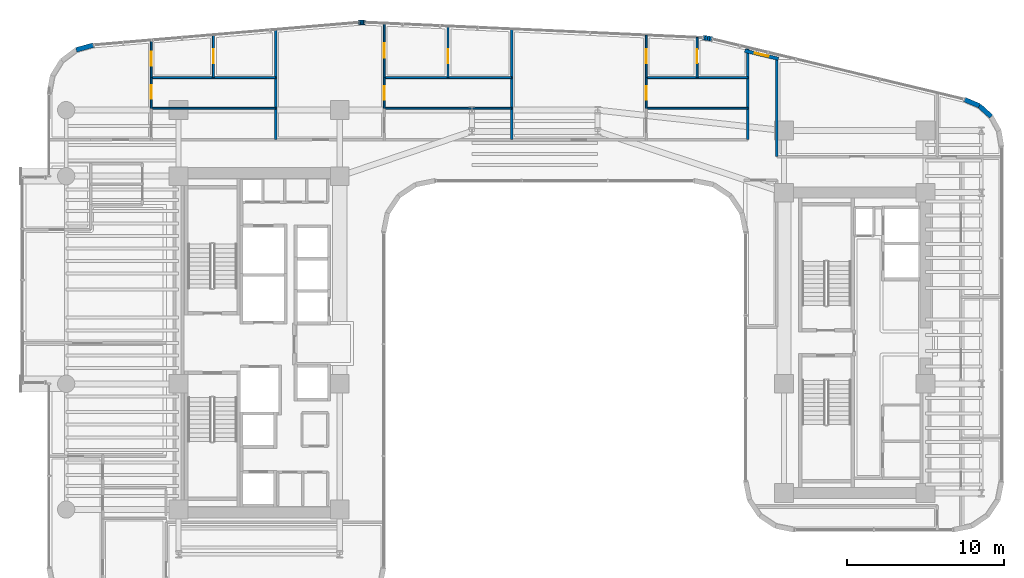
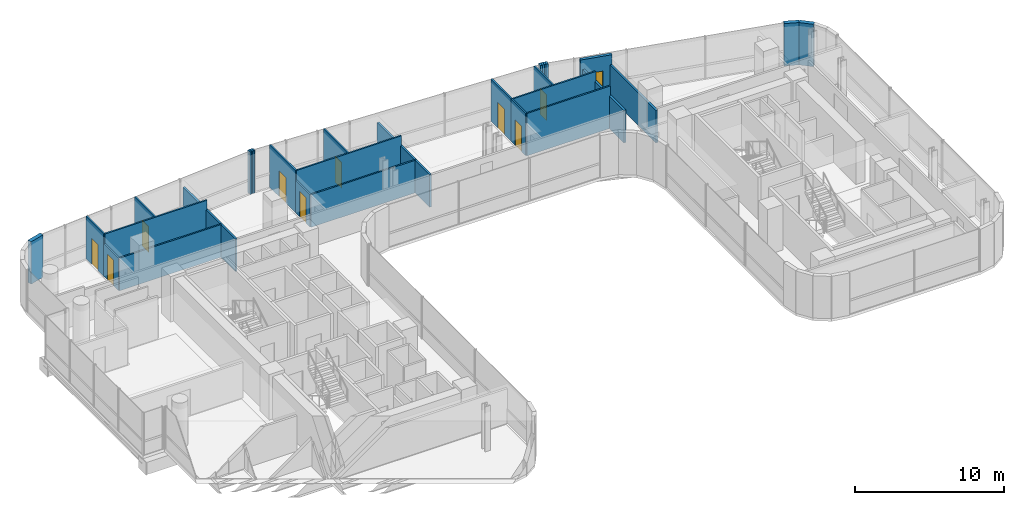
# One storey, part 30 of 36: 31 walls, 9 doors, 1 window, 10 openings.
"""IFC4 building model written with IfcOpenShell, lengths in metres."""

import ifcopenshell
import ifcopenshell.guid

model = None  # the IFC model being written
_history = None  # IfcOwnerHistory: only IFC2X3 demands one
_inside = {}  # id of a spatial element -> (the spatial element, [elements in it])
_under = {}  # id of a project, library or spatial element -> (it, [spatial elements below it])
_declared = {}  # id of a project -> (the project, [libraries it declares])
_typed = {}  # id of a type object -> (the type object, [elements of that type])
_made_of = {}  # id of a material, layer set ... -> (it, [elements and type objects made of it])


def new_model(schema):
    """Start an empty IFC model of exactly this schema.

    Asked for "IFC4X3", IfcOpenShell would pick the latest addendum, in which some entities
    have other attributes; the version numbers below select the first issue.
    IFC2X3 requires an IfcOwnerHistory on every rooted entity: one is made here for all.
    """
    global model, _history
    if schema == "IFC4X3":
        model = ifcopenshell.file(schema_version=(4, 3, 0, 0))
    else:
        model = ifcopenshell.file(schema=schema)
    _inside.clear()
    _under.clear()
    _declared.clear()
    _typed.clear()
    _made_of.clear()
    _history = None
    if model.schema == "IFC2X3":
        org = make("IfcOrganization", Name="unknown")
        user = make(
            "IfcPersonAndOrganization",
            ThePerson=make("IfcPerson", FamilyName="unknown"),
            TheOrganization=org,
        )
        app = make(
            "IfcApplication",
            ApplicationDeveloper=org,
            Version="unknown",
            ApplicationFullName="unknown",
            ApplicationIdentifier="unknown",
        )
        _history = make(
            "IfcOwnerHistory",
            OwningUser=user,
            OwningApplication=app,
            ChangeAction="ADDED",
            CreationDate=0,
        )
    return model


def make(cls, **values):
    """One entity of the class cls with the attributes given. An attribute that is None is left unset."""
    return model.create_entity(
        cls, **{name: value for name, value in values.items() if value is not None}
    )


def rooted(cls, **values):
    """An entity with a GlobalId (a new one), such as an element, a storey or a relation."""
    return make(cls, GlobalId=ifcopenshell.guid.new(), OwnerHistory=_history, **values)


def si_unit(unit_type, name, prefix=None):
    """IfcSIUnit, for example si_unit("LENGTHUNIT", "METRE", prefix="MILLI")."""
    return make("IfcSIUnit", UnitType=unit_type, Prefix=prefix, Name=name)


def assignment(units):
    """IfcUnitAssignment: the units of a project."""
    return None if units is None else make("IfcUnitAssignment", Units=units)


def point(xyz):
    """IfcCartesianPoint."""
    return None if xyz is None else make("IfcCartesianPoint", Coordinates=xyz)


def direction(xyz):
    """IfcDirection."""
    return None if xyz is None else make("IfcDirection", DirectionRatios=xyz)


def frame(location, z_axis=None, x_axis=None):
    """IfcAxis2Placement3D, a coordinate frame: its origin and axes. An axis left out is left unset."""
    return make(
        "IfcAxis2Placement3D",
        Location=point(location),
        Axis=direction(z_axis),
        RefDirection=direction(x_axis),
    )


def frame_2d(location, x_axis=None):
    """IfcAxis2Placement2D, a coordinate frame in the plane: its origin and x axis."""
    return make(
        "IfcAxis2Placement2D", Location=point(location), RefDirection=direction(x_axis)
    )


def origin():
    """The frame at (0, 0, 0) with its axes left unset."""
    return frame((0.0, 0.0, 0.0))


def place(relative_to, where):
    """IfcLocalPlacement: puts the frame where relative to a parent placement (None: the world)."""
    return make(
        "IfcLocalPlacement", PlacementRelTo=relative_to, RelativePlacement=where
    )


def context(
    kind, dimensions, precision=None, world=None, true_north=None, identifier=None
):
    """IfcGeometricRepresentationContext, for example the 3D "Model" context."""
    return make(
        "IfcGeometricRepresentationContext",
        ContextIdentifier=identifier,
        ContextType=kind,
        CoordinateSpaceDimension=dimensions,
        Precision=precision,
        WorldCoordinateSystem=world,
        TrueNorth=true_north,
    )


def subcontext(parent, identifier, kind, view, scale=None):
    """IfcGeometricRepresentationSubContext, for example "Body" below "Model"."""
    return make(
        "IfcGeometricRepresentationSubContext",
        ContextIdentifier=identifier,
        ContextType=kind,
        ParentContext=parent,
        TargetScale=scale,
        TargetView=view,
    )


def project(units=None, contexts=None):
    """IfcProject with its units and contexts."""
    return rooted(
        "IfcProject",
        Name="project",
        RepresentationContexts=contexts,
        UnitsInContext=assignment(units),
    )


def spatial(cls, under=None, at=None, **own):
    """A site, building, storey or space (cls), placed at a placement, below another one or the project."""
    s = rooted(cls, ObjectPlacement=at, **own)
    if under is not None:
        _under.setdefault(under.id(), (under, []))[1].append(s)
    return s


def profile(cls, at=None, kind="AREA", **sizes):
    """A parametric profile (cls). Its sizes go by their IFC names, for example OverallWidth=200.0."""
    return make(cls, ProfileType=kind, Position=at, **sizes)


def rectangle(**sizes):
    """IfcRectangleProfileDef."""
    return profile("IfcRectangleProfileDef", **sizes)


def extrude(swept, where, along, depth):
    """IfcExtrudedAreaSolid: the profile swept, set in the frame where, extruded along a direction by depth."""
    return make(
        "IfcExtrudedAreaSolid",
        SweptArea=swept,
        Position=where,
        ExtrudedDirection=direction(along),
        Depth=depth,
    )


def shape(context_of_items, identifier, shape_type, items):
    """IfcShapeRepresentation: the items that make up one representation, for example the "Body"."""
    return make(
        "IfcShapeRepresentation",
        ContextOfItems=context_of_items,
        RepresentationIdentifier=identifier,
        RepresentationType=shape_type,
        Items=items,
    )


def material(Name=None, Category=None):
    """IfcMaterial."""
    return make("IfcMaterial", Name=Name, Category=Category)


def layer(
    of_material, thickness, ventilated=None, Name=None, Category=None, Priority=None
):
    """IfcMaterialLayer: one layer of a wall or slab, of a material (None: an air gap)."""
    return make(
        "IfcMaterialLayer",
        Material=of_material,
        LayerThickness=thickness,
        IsVentilated=ventilated,
        Name=Name,
        Category=Category,
        Priority=Priority,
    )


def layer_set(layers, Name=None):
    """IfcMaterialLayerSet."""
    return make("IfcMaterialLayerSet", MaterialLayers=layers, LayerSetName=Name)


def made_of(thing, what):
    """Note that an element or type object is made of a material, layer set ...; save() writes the relation."""
    if what is not None:
        _made_of.setdefault(what.id(), (what, []))[1].append(thing)
    return thing


def type_object(cls, material=None, **own):
    """A type object (cls), such as IfcWallType, which elements share."""
    return made_of(rooted(cls, **own), material)


def element(
    cls,
    number,
    at=None,
    inside=None,
    cuts=None,
    type_object=None,
    material=None,
    context=None,
    identifier="Body",
    shape_type=None,
    held_by="IfcProductDefinitionShape",
    body=None,
    shapes=None,
    **own,
):
    """One element of the class cls, such as IfcWall. Its Tag is "e" and its number.

    at: its placement. inside: the storey or other place that contains it. cuts: it is an
    opening in that element (IfcRelVoidsElement). A single representation is given by context,
    identifier, shape_type and body (its items); several are given by shapes. held_by: the class
    of the entity that holds the representations. save() writes the other relations.
    """
    e = rooted(cls, Tag="e%d" % number, ObjectPlacement=at, **own)
    if body is not None:
        shapes = [shape(context, identifier, shape_type, body)]
    if shapes is not None:
        e.Representation = make(held_by, Representations=shapes)
    if inside is not None:
        _inside.setdefault(inside.id(), (inside, []))[1].append(e)
    if cuts is not None:
        rooted(
            "IfcRelVoidsElement", RelatingBuildingElement=cuts, RelatedOpeningElement=e
        )
    if type_object is not None:
        _typed.setdefault(type_object.id(), (type_object, []))[1].append(e)
    return made_of(e, material)


def fill(opening, filler):
    """IfcRelFillsElement: the door or window that sits in an opening."""
    return rooted(
        "IfcRelFillsElement",
        RelatingOpeningElement=opening,
        RelatedBuildingElement=filler,
    )


def aggregate(whole, parts):
    """IfcRelAggregates: a whole, such as a stair, and the parts it consists of."""
    return rooted("IfcRelAggregates", RelatingObject=whole, RelatedObjects=parts)


def save(model, path):
    """Write the relations noted so far, then the file.

    IfcRelAggregates (storeys below a building ...), IfcRelContainedInSpatialStructure (elements
    in a storey), IfcRelDefinesByType, IfcRelAssociatesMaterial and IfcRelDeclares: one each for
    every whole, place, type object, material and project.
    """
    for whole, parts in _under.values():
        aggregate(whole, parts)
    for where, things in _inside.values():
        rooted(
            "IfcRelContainedInSpatialStructure",
            RelatedElements=things,
            RelatingStructure=where,
        )
    for kind, things in _typed.values():
        rooted("IfcRelDefinesByType", RelatedObjects=things, RelatingType=kind)
    for what, things in _made_of.values():
        rooted("IfcRelAssociatesMaterial", RelatedObjects=things, RelatingMaterial=what)
    for by, libraries in _declared.values():
        rooted("IfcRelDeclares", RelatingContext=by, RelatedDefinitions=libraries)
    model.write(path)


model = new_model("IFC4")

# Units and contexts
model_context = context("Model", 3, precision=1e-05, world=origin(), true_north=direction((0.0, 1.0)))
body_context = subcontext(model_context, "Body", "Model", "MODEL_VIEW")
ifc_project = project(units=[si_unit("LENGTHUNIT", "METRE"), si_unit("AREAUNIT", "SQUARE_METRE"), si_unit("VOLUMEUNIT", "CUBIC_METRE"), si_unit("PLANEANGLEUNIT", "RADIAN"), si_unit("MASSUNIT", "GRAM", prefix="KILO")], contexts=[model_context])

# Site, building, storey
site_placement = place(None, origin())
site = spatial("IfcSite", under=ifc_project, at=site_placement, CompositionType="ELEMENT")
building_placement = place(site_placement, origin())
building = spatial("IfcBuilding", under=site, at=building_placement, Name="Valdorenza Pilgrim Sanctuary Tower", CompositionType="ELEMENT")
storey_placement = place(building_placement, frame((0.0, 0.0, 109.39990234375)))
storey = spatial("IfcBuildingStorey", under=building, at=storey_placement, Name="L27", CompositionType="ELEMENT", Elevation=109.39990234375)

# Walls
ifc_material_1 = material(Name="Acoustic twin-stud gypsum partition", Category="gypsum")
ifc_layer_1 = layer(ifc_material_1, 0.159912109375, Name="Acoustic twin-stud gypsum partition")
ifc_layer_set_1 = layer_set([ifc_layer_1], Name="Acoustic twin-stud gypsum partition")
wall_type_1 = type_object("IfcWallType", Name="WAL-COR-160", PredefinedType="PARTITIONING", material=ifc_layer_set_1)
wall_1_placement = place(storey_placement, frame((13.550048828125, 12.919921875, 0.0), z_axis=(0.0, 0.0, 1.0), x_axis=(0.0, 1.0, 0.0)))
element("IfcWall", 1, at=wall_1_placement, inside=storey, type_object=wall_type_1, Name="L27 North Band East Closure", PredefinedType="PARTITIONING", context=body_context, shape_type="SweptSolid", body=[
    extrude(rectangle(XDim=5.856689453125, YDim=0.159912109375, at=frame_2d((2.92822265625, 0.0))), origin(), (0.0, 0.0, 1.0), 2.666015625),
])
wall_2_placement = place(storey_placement, frame((15.39990234375, 11.85009765625, 0.0), z_axis=(0.0, 0.0, 1.0), x_axis=(0.0, 1.0, 0.0)))
element("IfcWall", 2, at=wall_2_placement, inside=storey, type_object=wall_type_1, Name="L27 Wing B North West Wall", PredefinedType="PARTITIONING", context=body_context, shape_type="SweptSolid", body=[
    extrude(rectangle(XDim=6.14990234375, YDim=0.159912109375, at=frame_2d((3.074951171875, 0.0))), origin(), (0.0, 0.0, 1.0), 2.666015625),
])
ifc_material_2 = material(Name="Honed travertine limestone", Category="masonry")
ifc_layer_2 = layer(ifc_material_2, 0.300048828125, Name="Honed travertine limestone")
ifc_layer_set_2 = layer_set([ifc_layer_2], Name="Honed travertine limestone")
wall_type_2 = type_object("IfcWallType", Name="WAL-EXT-300", PredefinedType="SOLIDWALL", material=ifc_layer_set_2)
wall_3_placement = place(storey_placement, frame((-29.16064453125, 18.632568359375, 0.0), z_axis=(0.0, 0.0, 1.0), x_axis=(0.963624193367, 0.267260947313, 0.0)))
element("IfcWall", 3, at=wall_3_placement, inside=storey, type_object=wall_type_2, Name="L27 Rounded Wind-Corner Stone Pier 5", PredefinedType="SOLIDWALL", context=body_context, shape_type="SweptSolid", body=[
    extrude(rectangle(XDim=1.15087890625, YDim=0.300048828125, at=frame_2d((0.575439453125, 0.0))), origin(), (0.0, 0.0, 1.0), 3.460205078125),
])
wall_4_placement = place(storey_placement, frame((-11.199462890625, 20.37255859375, 0.0), z_axis=(0.0, 0.0, 1.0), x_axis=(0.997567332166, 0.069709524416, 0.0)))
element("IfcWall", 4, at=wall_4_placement, inside=storey, type_object=wall_type_2, Name="L27 Rounded Wind-Corner Stone Pier 7", PredefinedType="SOLIDWALL", context=body_context, shape_type="SweptSolid", body=[
    extrude(rectangle(XDim=0.1015625, YDim=0.300048828125, at=frame_2d((0.05078125, 0.0))), origin(), (0.0, 0.0, 1.0), 3.460205078125),
])
wall_5_placement = place(storey_placement, frame((-11.09814453125, 20.379638671875, 0.0), z_axis=(0.0, 0.0, 1.0), x_axis=(0.999334672785, 0.03647206835, 0.0)))
element("IfcWall", 5, at=wall_5_placement, inside=storey, type_object=wall_type_2, Name="L27 Rounded Wind-Corner Stone Pier 8", PredefinedType="SOLIDWALL", context=body_context, shape_type="SweptSolid", body=[
    extrude(rectangle(XDim=0.100341796875, YDim=0.300048828125, at=frame_2d((0.05029296875, 0.0))), origin(), (0.0, 0.0, 1.0), 3.460205078125),
])
wall_6_placement = place(storey_placement, frame((-10.997802734375, 20.38330078125, 0.0), z_axis=(0.0, 0.0, 1.0), x_axis=(0.999997054401, 0.002427177317, 0.0)))
element("IfcWall", 6, at=wall_6_placement, inside=storey, type_object=wall_type_2, Name="L27 Rounded Wind-Corner Stone Pier 9", PredefinedType="SOLIDWALL", context=body_context, shape_type="SweptSolid", body=[
    extrude(rectangle(XDim=0.1005859375, YDim=0.300048828125, at=frame_2d((0.05029296875, 0.0))), origin(), (0.0, 0.0, 1.0), 3.460205078125),
])
wall_7_placement = place(storey_placement, frame((-10.897216796875, 20.383544921875, 0.0), z_axis=(0.0, 0.0, 1.0), x_axis=(0.999584209171, -0.02883415988, 0.0)))
element("IfcWall", 7, at=wall_7_placement, inside=storey, type_object=wall_type_2, Name="L27 Rounded Wind-Corner Stone Pier 10", PredefinedType="SOLIDWALL", context=body_context, shape_type="SweptSolid", body=[
    extrude(rectangle(XDim=0.1015625, YDim=0.300048828125, at=frame_2d((0.05078125, 0.0))), origin(), (0.0, 0.0, 1.0), 3.460205078125),
])
wall_8_placement = place(storey_placement, frame((10.68994140625, 19.404052734375, 0.0), z_axis=(0.0, 0.0, 1.0), x_axis=(0.99758310784, -0.069483400546, 0.0)))
element("IfcWall", 8, at=wall_8_placement, inside=storey, type_object=wall_type_2, Name="L27 Rounded Wind-Corner Stone Pier 12", PredefinedType="SOLIDWALL", context=body_context, shape_type="SweptSolid", body=[
    extrude(rectangle(XDim=0.1474609375, YDim=0.300048828125, at=frame_2d((0.07373046875, 0.0))), origin(), (0.0, 0.0, 1.0), 3.460205078125),
])
for number, where, z_axis, x_axis, name in (
    (9, (10.837158203125, 19.393798828125, 0.0), (0.0, 0.0, 1.0), (0.993173334962, -0.116647874912, 0.0), "L27 Rounded Wind-Corner Stone Pier 13"),
    (10, (10.982666015625, 19.376708984375, 0.0), (0.0, 0.0, 1.0), (0.986573494681, -0.163317909592, 0.0), "L27 Rounded Wind-Corner Stone Pier 14"),
):
    element("IfcWall", number, at=place(storey_placement, frame(where, z_axis=z_axis, x_axis=x_axis)), inside=storey, type_object=wall_type_2, Name=name, PredefinedType="SOLIDWALL", context=body_context, shape_type="SweptSolid", body=[
        extrude(rectangle(XDim=0.146484375, YDim=0.300048828125, at=frame_2d((0.0732421875, 0.0))), origin(), (0.0, 0.0, 1.0), 3.460205078125),
    ])
wall_9_placement = place(storey_placement, frame((11.127197265625, 19.352783203125, 0.0), z_axis=(0.0, 0.0, 1.0), x_axis=(0.978019841688, -0.208511844421, 0.0)))
element("IfcWall", 11, at=wall_9_placement, inside=storey, type_object=wall_type_2, Name="L27 Rounded Wind-Corner Stone Pier 15", PredefinedType="SOLIDWALL", context=body_context, shape_type="SweptSolid", body=[
    extrude(rectangle(XDim=0.1474609375, YDim=0.300048828125, at=frame_2d((0.07373046875, 0.0))), origin(), (0.0, 0.0, 1.0), 3.460205078125),
])

# Wall, opening, window
wall_10_placement = place(storey_placement, frame((13.355224609375, 18.576416015625, 0.0), z_axis=(0.0, 0.0, 1.0), x_axis=(0.97252211384, -0.232810519721, 0.0)))
wall_10 = element("IfcWall", 12, at=wall_10_placement, inside=storey, type_object=wall_type_2, Name="L27 Operable Ventilation Sash Jamb Pier", PredefinedType="SOLIDWALL", context=body_context, shape_type="SweptSolid", body=[
    extrude(rectangle(XDim=2.2001953125, YDim=0.219970703125, at=frame_2d((1.10009765625, 0.0))), origin(), (0.0, 0.0, 1.0), 3.460205078125),
])
opening_1_placement = place(wall_10_placement, frame((0.64990234375, 0.0, 0.949951171875)))
opening_1 = element("IfcOpeningElement", 13, at=opening_1_placement, cuts=wall_10, Name="Opening WN-OP1", PredefinedType="OPENING", context=body_context, shape_type="SweptSolid", body=[
    extrude(rectangle(XDim=0.89990234375, YDim=1.300048828125, at=frame_2d((0.449951171875, 0.64990234375))), frame((0.0, 0.125, 0.0), z_axis=(0.0, -1.0, 0.0), x_axis=(1.0, 0.0, 0.0)), (0.0, 0.0, 1.0), 0.249755859375),
])
ifc_material_3 = material(Name="Ceramic-fritted low-E IGU glazing", Category="glass")
window_type = type_object("IfcWindowType", Name="WIN-OPN-900", PartitioningType="SINGLE_PANEL", PredefinedType="WINDOW", material=ifc_material_3)
window_placement = place(opening_1_placement, origin())
window = element("IfcWindow", 14, at=window_placement, inside=storey, type_object=window_type, Name="L27 Parallel-Pop-Out Operable Facade Panel", OverallHeight=1.300048828125, OverallWidth=0.89990234375, PartitioningType="SINGLE_PANEL", PredefinedType="WINDOW", context=body_context, shape_type="SweptSolid", body=[
    extrude(rectangle(XDim=0.89990234375, YDim=1.300048828125, at=frame_2d((0.449951171875, 0.64990234375))), frame((0.0, 0.030029296875, 0.0), z_axis=(0.0, -1.0, 0.0), x_axis=(1.0, 0.0, 0.0)), (0.0, 0.0, 1.0), 0.06005859375),
])
fill(opening_1, window)

# Walls
wall_11_placement = place(storey_placement, frame((27.310302734375, 15.48291015625, 0.0), z_axis=(0.0, 0.0, 1.0), x_axis=(0.920250328759, -0.391330208927, 0.0)))
element("IfcWall", 15, at=wall_11_placement, inside=storey, type_object=wall_type_2, Name="L27 Rounded Wind-Corner Stone Pier 17", PredefinedType="SOLIDWALL", context=body_context, shape_type="SweptSolid", body=[
    extrude(rectangle(XDim=1.0361328125, YDim=0.300048828125, at=frame_2d((0.51806640625, 0.0))), origin(), (0.0, 0.0, 1.0), 3.460205078125),
])
wall_12_placement = place(storey_placement, frame((28.263916015625, 15.077392578125, 0.0), z_axis=(0.0, 0.0, 1.0), x_axis=(0.741208839713, -0.671274501178, 0.0)))
element("IfcWall", 16, at=wall_12_placement, inside=storey, type_object=wall_type_2, Name="L27 Rounded Wind-Corner Stone Pier 18", PredefinedType="SOLIDWALL", context=body_context, shape_type="SweptSolid", body=[
    extrude(rectangle(XDim=1.0263671875, YDim=0.300048828125, at=frame_2d((0.51318359375, 0.0))), origin(), (0.0, 0.0, 1.0), 3.460205078125),
])
ifc_material_4 = material(Name="Moisture-resistant gypsum partition", Category="gypsum")
ifc_layer_3 = layer(ifc_material_4, 0.1201171875, Name="Moisture-resistant gypsum partition")
ifc_layer_set_3 = layer_set([ifc_layer_3], Name="Moisture-resistant gypsum partition")
wall_type_3 = type_object("IfcWallType", Name="WAL-INT-120", PredefinedType="PARTITIONING", material=ifc_layer_set_3)
wall_13_placement = place(storey_placement, frame((-24.38720703125, 14.919921875, 0.0), z_axis=(0.0, 0.0, 1.0), x_axis=(1.0, 0.0, 0.0)))
element("IfcWall", 17, at=wall_13_placement, inside=storey, type_object=wall_type_3, Name="L27 North Family Flat L27-N1 Bath-Kitchen Wall", PredefinedType="PARTITIONING", context=body_context, shape_type="SweptSolid", body=[
    extrude(rectangle(XDim=7.904296875, YDim=0.1201171875, at=frame_2d((3.9521484375, 0.0))), origin(), (0.0, 0.0, 1.0), 2.666015625),
])
wall_14_placement = place(storey_placement, frame((-24.38720703125, 16.8701171875, 0.0), z_axis=(0.0, 0.0, 1.0), x_axis=(1.0, 0.0, 0.0)))
element("IfcWall", 18, at=wall_14_placement, inside=storey, type_object=wall_type_3, Name="L27 North Family Flat L27-N1 Kitchen-Bedroom Wall", PredefinedType="PARTITIONING", context=body_context, shape_type="SweptSolid", body=[
    extrude(rectangle(XDim=7.904296875, YDim=0.1201171875, at=frame_2d((3.9521484375, 0.0))), origin(), (0.0, 0.0, 1.0), 3.460205078125),
])

# Wall, opening, door
wall_15_placement = place(storey_placement, frame((-24.38720703125, 14.919921875, 0.0), z_axis=(0.0, 0.0, 1.0), x_axis=(0.0, 1.0, 0.0)))
wall_15 = element("IfcWall", 19, at=wall_15_placement, inside=storey, type_object=wall_type_3, Name="L27 North Family Flat L27-N1 Bathroom Door Wall", PredefinedType="PARTITIONING", context=body_context, shape_type="SweptSolid", body=[
    extrude(rectangle(XDim=1.9501953125, YDim=0.1201171875, at=frame_2d((0.97509765625, 0.0))), origin(), (0.0, 0.0, 1.0), 2.666015625),
])
opening_2_placement = place(wall_15_placement, frame((0.6201171875, 0.0, 0.0)))
opening_2 = element("IfcOpeningElement", 20, at=opening_2_placement, cuts=wall_15, Name="Opening DR-WC1", PredefinedType="OPENING", context=body_context, shape_type="SweptSolid", body=[
    extrude(rectangle(XDim=0.85009765625, YDim=2.10009765625, at=frame_2d((0.425048828125, 1.050048828125))), frame((0.0, 0.074951171875, 0.0), z_axis=(0.0, -1.0, 0.0), x_axis=(1.0, 0.0, 0.0)), (0.0, 0.0, 1.0), 0.14990234375),
])
ifc_material_5 = material(Name="Moisture-resistant lacquered timber", Category="wood")
door_type_1 = type_object("IfcDoorType", Name="DR-BATH-850", OperationType="NOTDEFINED", PredefinedType="DOOR", material=ifc_material_5)
door_1_placement = place(opening_2_placement, origin())
door_1 = element("IfcDoor", 21, at=door_1_placement, inside=storey, type_object=door_type_1, Name="L27 North Family Flat L27-N1 Bathroom Door", OperationType="SINGLE_SWING_RIGHT", OverallHeight=2.10009765625, OverallWidth=0.85009765625, PredefinedType="DOOR", context=body_context, shape_type="SweptSolid", body=[
    extrude(rectangle(XDim=0.85009765625, YDim=2.10009765625, at=frame_2d((0.425048828125, 1.050048828125))), frame((0.0, 0.02490234375, 0.0), z_axis=(0.0, -1.0, 0.0), x_axis=(1.0, 0.0, 0.0)), (0.0, 0.0, 1.0), 0.050048828125),
])
fill(opening_2, door_1)

wall_16_placement = place(storey_placement, frame((-24.38720703125, 16.8701171875, 0.0), z_axis=(0.0, 0.0, 1.0), x_axis=(0.0, 1.0, 0.0)))
wall_16 = element("IfcWall", 22, at=wall_16_placement, inside=storey, type_object=wall_type_3, Name="L27 North Family Flat L27-N1 Bedroom Door Wall", PredefinedType="PARTITIONING", context=body_context, shape_type="SweptSolid", body=[
    extrude(rectangle(XDim=2.381591796875, YDim=0.1201171875, at=frame_2d((1.19091796875, 0.0))), origin(), (0.0, 0.0, 1.0), 3.460205078125),
])
opening_3_placement = place(wall_16_placement, frame((0.740966796875, 0.0, 0.0)))
opening_3 = element("IfcOpeningElement", 23, at=opening_3_placement, cuts=wall_16, Name="Opening DR-RM1", PredefinedType="OPENING", context=body_context, shape_type="SweptSolid", body=[
    extrude(rectangle(XDim=0.89990234375, YDim=2.10009765625, at=frame_2d((0.449951171875, 1.050048828125))), frame((0.0, 0.074951171875, 0.0), z_axis=(0.0, -1.0, 0.0), x_axis=(1.0, 0.0, 0.0)), (0.0, 0.0, 1.0), 0.14990234375),
])
ifc_material_6 = material(Name="Solid-core European oak timber", Category="wood")
door_type_2 = type_object("IfcDoorType", Name="DR-ROOM-900", OperationType="NOTDEFINED", PredefinedType="DOOR", material=ifc_material_6)
door_2_placement = place(opening_3_placement, origin())
door_2 = element("IfcDoor", 24, at=door_2_placement, inside=storey, type_object=door_type_2, Name="L27 North Family Flat L27-N1 Bedroom 1 Door", OperationType="SINGLE_SWING_RIGHT", OverallHeight=2.10009765625, OverallWidth=0.89990234375, PredefinedType="DOOR", context=body_context, shape_type="SweptSolid", body=[
    extrude(rectangle(XDim=0.89990234375, YDim=2.10009765625, at=frame_2d((0.449951171875, 1.050048828125))), frame((0.0, 0.02490234375, 0.0), z_axis=(0.0, -1.0, 0.0), x_axis=(1.0, 0.0, 0.0)), (0.0, 0.0, 1.0), 0.050048828125),
])
fill(opening_3, door_2)

wall_17_placement = place(storey_placement, frame((-20.43505859375, 16.8701171875, 0.0), z_axis=(0.0, 0.0, 1.0), x_axis=(0.0, 1.0, 0.0)))
wall_17 = element("IfcWall", 25, at=wall_17_placement, inside=storey, type_object=wall_type_3, Name="L27 North Family Flat L27-N1 Bedroom 2 Wall", PredefinedType="PARTITIONING", context=body_context, shape_type="SweptSolid", body=[
    extrude(rectangle(XDim=2.717529296875, YDim=0.1201171875, at=frame_2d((1.35888671875, 0.0))), origin(), (0.0, 0.0, 1.0), 3.460205078125),
])
opening_4_placement = place(wall_17_placement, frame((0.89990234375, 0.0, 0.0)))
opening_4 = element("IfcOpeningElement", 26, at=opening_4_placement, cuts=wall_17, Name="Opening DR-RM1", PredefinedType="OPENING", context=body_context, shape_type="SweptSolid", body=[
    extrude(rectangle(XDim=0.89990234375, YDim=2.10009765625, at=frame_2d((0.449951171875, 1.050048828125))), frame((0.0, 0.074951171875, 0.0), z_axis=(0.0, -1.0, 0.0), x_axis=(1.0, 0.0, 0.0)), (0.0, 0.0, 1.0), 0.14990234375),
])
door_3_placement = place(opening_4_placement, frame((0.89990234375, 0.0, 0.0), z_axis=(0.0, 0.0, 1.0), x_axis=(-1.0, 0.0, 0.0)))
door_3 = element("IfcDoor", 27, at=door_3_placement, inside=storey, type_object=door_type_2, Name="L27 North Family Flat L27-N1 Bedroom 2 Door", OperationType="SINGLE_SWING_LEFT", OverallHeight=2.10009765625, OverallWidth=0.89990234375, PredefinedType="DOOR", context=body_context, shape_type="SweptSolid", body=[
    extrude(rectangle(XDim=0.89990234375, YDim=2.10009765625, at=frame_2d((0.449951171875, 1.050048828125))), frame((0.0, 0.02490234375, 0.0), z_axis=(0.0, -1.0, 0.0), x_axis=(1.0, 0.0, 0.0)), (0.0, 0.0, 1.0), 0.050048828125),
])
fill(opening_4, door_3)

# Walls
wall_18_placement = place(storey_placement, frame((-9.57568359375, 14.919921875, 0.0), z_axis=(0.0, 0.0, 1.0), x_axis=(1.0, 0.0, 0.0)))
element("IfcWall", 28, at=wall_18_placement, inside=storey, type_object=wall_type_3, Name="L27 North Family Flat L27-N2 Bath-Kitchen Wall", PredefinedType="PARTITIONING", context=body_context, shape_type="SweptSolid", body=[
    extrude(rectangle(XDim=8.108642578125, YDim=0.1201171875, at=frame_2d((4.05419921875, 0.0))), origin(), (0.0, 0.0, 1.0), 2.666015625),
])
wall_19_placement = place(storey_placement, frame((-9.57568359375, 16.8701171875, 0.0), z_axis=(0.0, 0.0, 1.0), x_axis=(1.0, 0.0, 0.0)))
element("IfcWall", 29, at=wall_19_placement, inside=storey, type_object=wall_type_3, Name="L27 North Family Flat L27-N2 Kitchen-Bedroom Wall", PredefinedType="PARTITIONING", context=body_context, shape_type="SweptSolid", body=[
    extrude(rectangle(XDim=8.108642578125, YDim=0.1201171875, at=frame_2d((4.05419921875, 0.0))), origin(), (0.0, 0.0, 1.0), 3.460205078125),
])

# Wall, opening, door
wall_20_placement = place(storey_placement, frame((-9.57568359375, 14.919921875, 0.0), z_axis=(0.0, 0.0, 1.0), x_axis=(0.0, 1.0, 0.0)))
wall_20 = element("IfcWall", 30, at=wall_20_placement, inside=storey, type_object=wall_type_3, Name="L27 North Family Flat L27-N2 Bathroom Door Wall", PredefinedType="PARTITIONING", context=body_context, shape_type="SweptSolid", body=[
    extrude(rectangle(XDim=1.9501953125, YDim=0.1201171875, at=frame_2d((0.97509765625, 0.0))), origin(), (0.0, 0.0, 1.0), 2.666015625),
])
opening_5_placement = place(wall_20_placement, frame((0.550048828125, 0.0, 0.0)))
opening_5 = element("IfcOpeningElement", 31, at=opening_5_placement, cuts=wall_20, Name="Opening DR-WC1", PredefinedType="OPENING", context=body_context, shape_type="SweptSolid", body=[
    extrude(rectangle(XDim=0.85009765625, YDim=2.10009765625, at=frame_2d((0.425048828125, 1.050048828125))), frame((0.0, 0.074951171875, 0.0), z_axis=(0.0, -1.0, 0.0), x_axis=(1.0, 0.0, 0.0)), (0.0, 0.0, 1.0), 0.14990234375),
])
door_4_placement = place(opening_5_placement, origin())
door_4 = element("IfcDoor", 32, at=door_4_placement, inside=storey, type_object=door_type_1, Name="L27 North Family Flat L27-N2 Bathroom Door", OperationType="SINGLE_SWING_LEFT", OverallHeight=2.10009765625, OverallWidth=0.85009765625, PredefinedType="DOOR", context=body_context, shape_type="SweptSolid", body=[
    extrude(rectangle(XDim=0.85009765625, YDim=2.10009765625, at=frame_2d((0.425048828125, 1.050048828125))), frame((0.0, 0.02490234375, 0.0), z_axis=(0.0, -1.0, 0.0), x_axis=(1.0, 0.0, 0.0)), (0.0, 0.0, 1.0), 0.050048828125),
])
fill(opening_5, door_4)

wall_21_placement = place(storey_placement, frame((-9.57568359375, 16.8701171875, 0.0), z_axis=(0.0, 0.0, 1.0), x_axis=(0.0, 1.0, 0.0)))
wall_21 = element("IfcWall", 33, at=wall_21_placement, inside=storey, type_object=wall_type_3, Name="L27 North Family Flat L27-N2 Bedroom Door Wall", PredefinedType="PARTITIONING", context=body_context, shape_type="SweptSolid", body=[
    extrude(rectangle(XDim=3.455078125, YDim=0.1201171875, at=frame_2d((1.7275390625, 0.0))), origin(), (0.0, 0.0, 1.0), 3.460205078125),
])
opening_6_placement = place(wall_21_placement, frame((1.278076171875, 0.0, 0.0)))
opening_6 = element("IfcOpeningElement", 34, at=opening_6_placement, cuts=wall_21, Name="Opening DR-RM1", PredefinedType="OPENING", context=body_context, shape_type="SweptSolid", body=[
    extrude(rectangle(XDim=0.89990234375, YDim=2.10009765625, at=frame_2d((0.449951171875, 1.050048828125))), frame((0.0, 0.074951171875, 0.0), z_axis=(0.0, -1.0, 0.0), x_axis=(1.0, 0.0, 0.0)), (0.0, 0.0, 1.0), 0.14990234375),
])
door_5_placement = place(opening_6_placement, frame((0.89990234375, 0.0, 0.0), z_axis=(0.0, 0.0, 1.0), x_axis=(-1.0, 0.0, 0.0)))
door_5 = element("IfcDoor", 35, at=door_5_placement, inside=storey, type_object=door_type_2, Name="L27 North Family Flat L27-N2 Bedroom 1 Door", OperationType="SINGLE_SWING_LEFT", OverallHeight=2.10009765625, OverallWidth=0.89990234375, PredefinedType="DOOR", context=body_context, shape_type="SweptSolid", body=[
    extrude(rectangle(XDim=0.89990234375, YDim=2.10009765625, at=frame_2d((0.449951171875, 1.050048828125))), frame((0.0, 0.02490234375, 0.0), z_axis=(0.0, -1.0, 0.0), x_axis=(1.0, 0.0, 0.0)), (0.0, 0.0, 1.0), 0.050048828125),
])
fill(opening_6, door_5)

wall_22_placement = place(storey_placement, frame((-5.521240234375, 16.8701171875, 0.0), z_axis=(0.0, 0.0, 1.0), x_axis=(0.0, 1.0, 0.0)))
wall_22 = element("IfcWall", 36, at=wall_22_placement, inside=storey, type_object=wall_type_3, Name="L27 North Family Flat L27-N2 Bedroom 2 Wall", PredefinedType="PARTITIONING", context=body_context, shape_type="SweptSolid", body=[
    extrude(rectangle(XDim=3.270751953125, YDim=0.1201171875, at=frame_2d((1.63525390625, 0.0))), origin(), (0.0, 0.0, 1.0), 3.460205078125),
])
opening_7_placement = place(wall_22_placement, frame((0.89990234375, 0.0, 0.0)))
opening_7 = element("IfcOpeningElement", 37, at=opening_7_placement, cuts=wall_22, Name="Opening DR-RM1", PredefinedType="OPENING", context=body_context, shape_type="SweptSolid", body=[
    extrude(rectangle(XDim=0.89990234375, YDim=2.10009765625, at=frame_2d((0.449951171875, 1.050048828125))), frame((0.0, 0.074951171875, 0.0), z_axis=(0.0, -1.0, 0.0), x_axis=(1.0, 0.0, 0.0)), (0.0, 0.0, 1.0), 0.14990234375),
])
door_6_placement = place(opening_7_placement, origin())
door_6 = element("IfcDoor", 38, at=door_6_placement, inside=storey, type_object=door_type_2, Name="L27 North Family Flat L27-N2 Bedroom 2 Door", OperationType="SINGLE_SWING_RIGHT", OverallHeight=2.10009765625, OverallWidth=0.89990234375, PredefinedType="DOOR", context=body_context, shape_type="SweptSolid", body=[
    extrude(rectangle(XDim=0.89990234375, YDim=2.10009765625, at=frame_2d((0.449951171875, 1.050048828125))), frame((0.0, 0.02490234375, 0.0), z_axis=(0.0, -1.0, 0.0), x_axis=(1.0, 0.0, 0.0)), (0.0, 0.0, 1.0), 0.050048828125),
])
fill(opening_7, door_6)

# Walls
for number, where, z_axis, x_axis, name in (
    (39, (7.0908203125, 14.919921875, 0.0), (0.0, 0.0, 1.0), (1.0, 0.0, 0.0), "L27 North Family Flat L27-N3 Bath-Kitchen Wall"),
    (40, (7.0908203125, 16.8701171875, 0.0), (0.0, 0.0, 1.0), (1.0, 0.0, 0.0), "L27 North Family Flat L27-N3 Kitchen-Bedroom Wall"),
):
    element("IfcWall", number, at=place(storey_placement, frame(where, z_axis=z_axis, x_axis=x_axis)), inside=storey, type_object=wall_type_3, Name=name, PredefinedType="PARTITIONING", context=body_context, shape_type="SweptSolid", body=[
        extrude(rectangle(XDim=6.459228515625, YDim=0.1201171875, at=frame_2d((3.2294921875, 0.0))), origin(), (0.0, 0.0, 1.0), 3.460205078125),
    ])

# Wall, opening, door
wall_23_placement = place(storey_placement, frame((7.0908203125, 14.919921875, 0.0), z_axis=(0.0, 0.0, 1.0), x_axis=(0.0, 1.0, 0.0)))
wall_23 = element("IfcWall", 41, at=wall_23_placement, inside=storey, type_object=wall_type_3, Name="L27 North Family Flat L27-N3 Bathroom Door Wall", PredefinedType="PARTITIONING", context=body_context, shape_type="SweptSolid", body=[
    extrude(rectangle(XDim=1.9501953125, YDim=0.1201171875, at=frame_2d((0.97509765625, 0.0))), origin(), (0.0, 0.0, 1.0), 3.460205078125),
])
opening_8_placement = place(wall_23_placement, frame((0.550048828125, 0.0, 0.0)))
opening_8 = element("IfcOpeningElement", 42, at=opening_8_placement, cuts=wall_23, Name="Opening DR-WC1", PredefinedType="OPENING", context=body_context, shape_type="SweptSolid", body=[
    extrude(rectangle(XDim=0.85009765625, YDim=2.10009765625, at=frame_2d((0.425048828125, 1.050048828125))), frame((0.0, 0.074951171875, 0.0), z_axis=(0.0, -1.0, 0.0), x_axis=(1.0, 0.0, 0.0)), (0.0, 0.0, 1.0), 0.14990234375),
])
door_7_placement = place(opening_8_placement, origin())
door_7 = element("IfcDoor", 43, at=door_7_placement, inside=storey, type_object=door_type_1, Name="L27 North Family Flat L27-N3 Bathroom Door", OperationType="SINGLE_SWING_RIGHT", OverallHeight=2.10009765625, OverallWidth=0.85009765625, PredefinedType="DOOR", context=body_context, shape_type="SweptSolid", body=[
    extrude(rectangle(XDim=0.85009765625, YDim=2.10009765625, at=frame_2d((0.425048828125, 1.050048828125))), frame((0.0, 0.02490234375, 0.0), z_axis=(0.0, -1.0, 0.0), x_axis=(1.0, 0.0, 0.0)), (0.0, 0.0, 1.0), 0.050048828125),
])
fill(opening_8, door_7)

wall_24_placement = place(storey_placement, frame((7.0908203125, 16.8701171875, 0.0), z_axis=(0.0, 0.0, 1.0), x_axis=(0.0, 1.0, 0.0)))
wall_24 = element("IfcWall", 44, at=wall_24_placement, inside=storey, type_object=wall_type_3, Name="L27 North Family Flat L27-N3 Bedroom Door Wall", PredefinedType="PARTITIONING", context=body_context, shape_type="SweptSolid", body=[
    extrude(rectangle(XDim=2.697509765625, YDim=0.1201171875, at=frame_2d((1.3486328125, 0.0))), origin(), (0.0, 0.0, 1.0), 3.460205078125),
])
opening_9_placement = place(wall_24_placement, frame((0.89892578125, 0.0, 0.0)))
opening_9 = element("IfcOpeningElement", 45, at=opening_9_placement, cuts=wall_24, Name="Opening DR-RM1", PredefinedType="OPENING", context=body_context, shape_type="SweptSolid", body=[
    extrude(rectangle(XDim=0.89990234375, YDim=2.10009765625, at=frame_2d((0.449951171875, 1.050048828125))), frame((0.0, 0.074951171875, 0.0), z_axis=(0.0, -1.0, 0.0), x_axis=(1.0, 0.0, 0.0)), (0.0, 0.0, 1.0), 0.14990234375),
])
door_8_placement = place(opening_9_placement, origin())
door_8 = element("IfcDoor", 46, at=door_8_placement, inside=storey, type_object=door_type_2, Name="L27 North Family Flat L27-N3 Bedroom 1 Door", OperationType="SINGLE_SWING_RIGHT", OverallHeight=2.10009765625, OverallWidth=0.89990234375, PredefinedType="DOOR", context=body_context, shape_type="SweptSolid", body=[
    extrude(rectangle(XDim=0.89990234375, YDim=2.10009765625, at=frame_2d((0.449951171875, 1.050048828125))), frame((0.0, 0.02490234375, 0.0), z_axis=(0.0, -1.0, 0.0), x_axis=(1.0, 0.0, 0.0)), (0.0, 0.0, 1.0), 0.050048828125),
])
fill(opening_9, door_8)

wall_25_placement = place(storey_placement, frame((10.3203125, 16.8701171875, 0.0), z_axis=(0.0, 0.0, 1.0), x_axis=(0.0, 1.0, 0.0)))
wall_25 = element("IfcWall", 47, at=wall_25_placement, inside=storey, type_object=wall_type_3, Name="L27 North Family Flat L27-N3 Bedroom 2 Wall", PredefinedType="PARTITIONING", context=body_context, shape_type="SweptSolid", body=[
    extrude(rectangle(XDim=2.55078125, YDim=0.1201171875, at=frame_2d((1.275390625, 0.0))), origin(), (0.0, 0.0, 1.0), 3.460205078125),
])
opening_10_placement = place(wall_25_placement, frame((0.89990234375, 0.0, 0.0)))
opening_10 = element("IfcOpeningElement", 48, at=opening_10_placement, cuts=wall_25, Name="Opening DR-RM1", PredefinedType="OPENING", context=body_context, shape_type="SweptSolid", body=[
    extrude(rectangle(XDim=0.89990234375, YDim=2.10009765625, at=frame_2d((0.449951171875, 1.050048828125))), frame((0.0, 0.074951171875, 0.0), z_axis=(0.0, -1.0, 0.0), x_axis=(1.0, 0.0, 0.0)), (0.0, 0.0, 1.0), 0.14990234375),
])
door_9_placement = place(opening_10_placement, frame((0.89990234375, 0.0, 0.0), z_axis=(0.0, 0.0, 1.0), x_axis=(-1.0, 0.0, 0.0)))
door_9 = element("IfcDoor", 49, at=door_9_placement, inside=storey, type_object=door_type_2, Name="L27 North Family Flat L27-N3 Bedroom 2 Door", OperationType="SINGLE_SWING_LEFT", OverallHeight=2.10009765625, OverallWidth=0.89990234375, PredefinedType="DOOR", context=body_context, shape_type="SweptSolid", body=[
    extrude(rectangle(XDim=0.89990234375, YDim=2.10009765625, at=frame_2d((0.449951171875, 1.050048828125))), frame((0.0, 0.02490234375, 0.0), z_axis=(0.0, -1.0, 0.0), x_axis=(1.0, 0.0, 0.0)), (0.0, 0.0, 1.0), 0.050048828125),
])
fill(opening_10, door_9)

# Walls
ifc_layer_4 = layer(ifc_material_1, 0.14990234375, Name="Acoustic twin-stud gypsum partition")
ifc_layer_set_4 = layer_set([ifc_layer_4], Name="Acoustic twin-stud gypsum partition")
wall_type_4 = type_object("IfcWallType", Name="WAL-UNT-150", PredefinedType="PARTITIONING", material=ifc_layer_set_4)
wall_26_placement = place(storey_placement, frame((-16.48291015625, 12.919921875, 0.0), z_axis=(0.0, 0.0, 1.0), x_axis=(0.0, 1.0, 0.0)))
element("IfcWall", 50, at=wall_26_placement, inside=storey, type_object=wall_type_4, Name="L27 North Flat Demising 1", PredefinedType="PARTITIONING", context=body_context, shape_type="SweptSolid", body=[
    extrude(rectangle(XDim=7.003662109375, YDim=0.14990234375, at=frame_2d((3.501953125, 0.0))), origin(), (0.0, 0.0, 1.0), 2.666015625),
])
wall_27_placement = place(storey_placement, frame((-1.467041015625, 12.919921875, 0.0), z_axis=(0.0, 0.0, 1.0), x_axis=(0.0, 1.0, 0.0)))
element("IfcWall", 51, at=wall_27_placement, inside=storey, type_object=wall_type_4, Name="L27 North Flat Demising 2", PredefinedType="PARTITIONING", context=body_context, shape_type="SweptSolid", body=[
    extrude(rectangle(XDim=7.03662109375, YDim=0.14990234375, at=frame_2d((3.518310546875, 0.0))), origin(), (0.0, 0.0, 1.0), 2.666015625),
])

save(model, "model.ifc")
